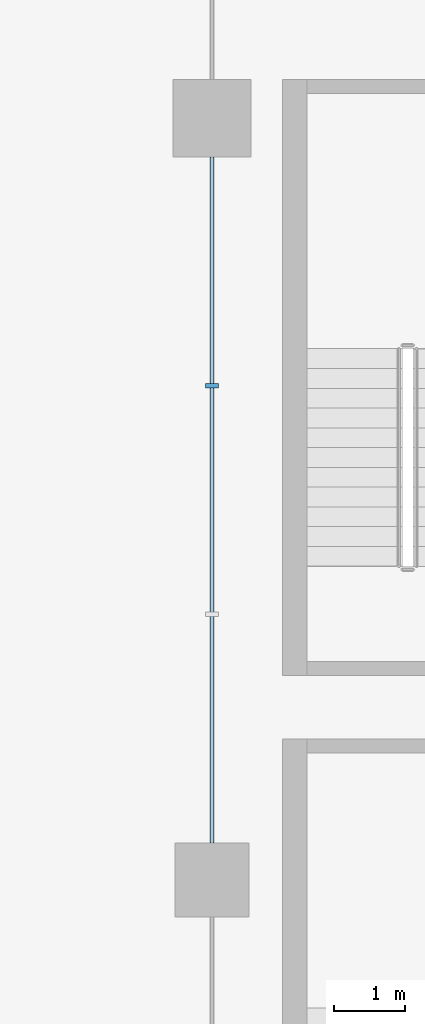
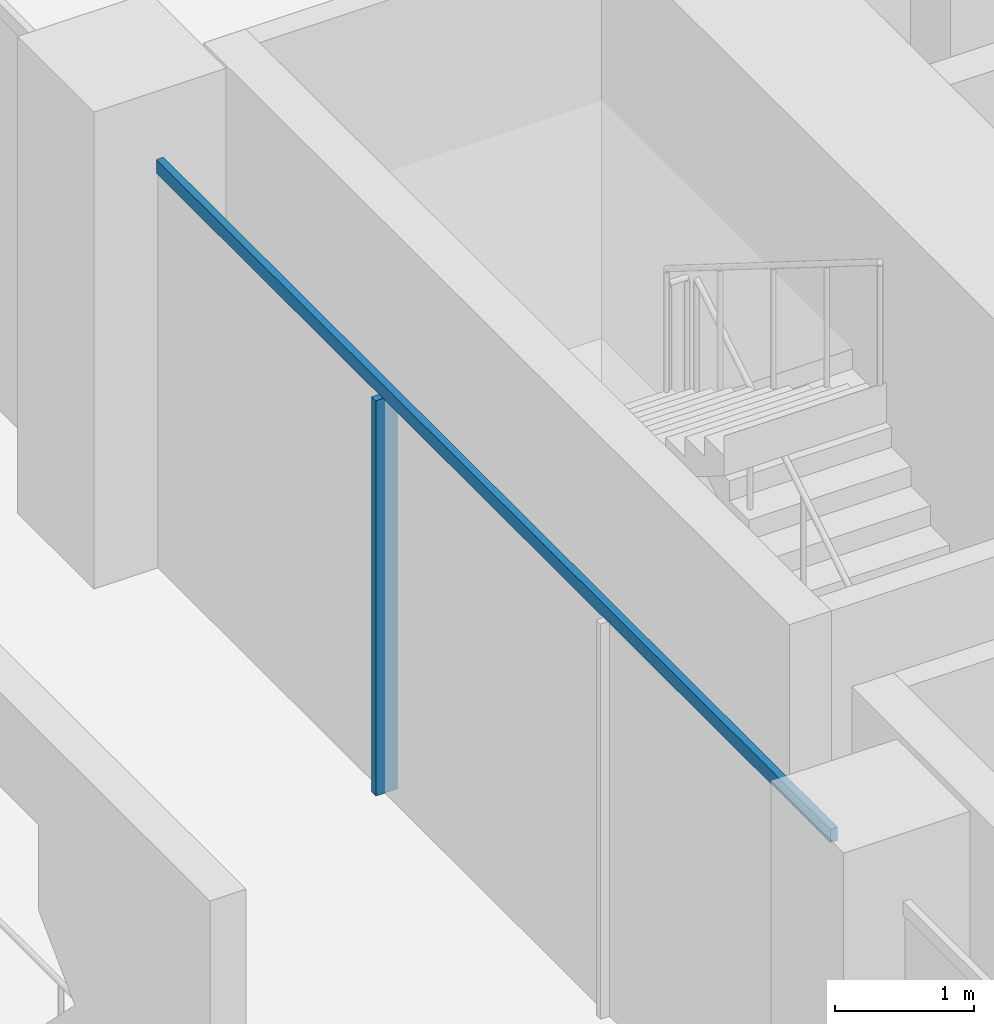
# One storey, part 5 of 25: 2 members, 1 element without a shape of its own.
"""IFC4 building model written with IfcOpenShell, lengths in metres."""

from ifc_helpers import new_model, si_unit, direction, frame, origin, origin_2d, place, context, subcontext, project, spatial, rectangle, extrude, material, layer, layer_set, material_profile, profile_set, type_object, element, aggregate, save


model = new_model("IFC4")

# Units and contexts
model_context = context("Model", 3, precision=1e-05, world=origin(), true_north=direction((0.0, 1.0)))
body_context = subcontext(model_context, "Body", "Model", "MODEL_VIEW")
ifc_project = project(units=[si_unit("LENGTHUNIT", "METRE"), si_unit("AREAUNIT", "SQUARE_METRE"), si_unit("VOLUMEUNIT", "CUBIC_METRE"), si_unit("PLANEANGLEUNIT", "RADIAN"), si_unit("MASSUNIT", "GRAM", prefix="KILO")], contexts=[model_context])

# Site, building, storey
site_placement = place(None, origin())
site = spatial("IfcSite", under=ifc_project, at=site_placement, CompositionType="ELEMENT")
building_placement = place(site_placement, origin())
building = spatial("IfcBuilding", under=site, at=building_placement, Name="Kawkab Arch Medical Tower", CompositionType="ELEMENT")
storey_placement = place(building_placement, frame((0.0, 0.0, 98.800048828125)))
storey = spatial("IfcBuildingStorey", under=building, at=storey_placement, Name="L22", CompositionType="ELEMENT", Elevation=98.800048828125)

# Curtain wall, members
ifc_material_1 = material(Name="Bronze anodised aluminium curtain wall frame", Category="aluminium")
ifc_layer = layer(ifc_material_1, 0.159912109375)
ifc_layer_set = layer_set([ifc_layer], Name="Bronze anodised aluminium curtain wall frame")
curtain_wall_type = type_object("IfcCurtainWallType", Name="CW1 ward curtain wall", PredefinedType="NOTDEFINED", material=ifc_layer_set)
curtain_wall_placement = place(storey_placement, origin())
curtain_wall = element("IfcCurtainWall", 1, at=curtain_wall_placement, inside=storey, type_object=curtain_wall_type, Name="CW1 Ward curtain wall R13", PredefinedType="NOTDEFINED")
ifc_material_2 = material(Name="Bronze anodised aluminium curtain wall frame", Category="aluminium")
ifc_material_profile_1 = material_profile(ifc_material_2, rectangle(XDim=0.179931640625, YDim=0.06005859375, at=origin_2d()), Name="AL 60x180")
ifc_profile_set_1 = profile_set([ifc_material_profile_1], Name="Bronze anodised aluminium curtain wall frame")
member_type_1 = type_object("IfcMemberType", Name="CW1 mullion 60 x 180", PredefinedType="MULLION", material=ifc_profile_set_1)
member_1_placement = place(storey_placement, frame((0.0, -9.791748046875, 0.0), z_axis=(0.0, 0.0, 1.0), x_axis=(1.0, 0.0, 0.0)))
member_1 = element("IfcMember", 2, at=member_1_placement, type_object=member_type_1, Name="CW1 mullion 2.1", PredefinedType="MULLION", context=body_context, shape_type="SweptSolid", body=[
    extrude(rectangle(XDim=0.179931640625, YDim=0.06005859375, at=origin_2d()), origin(), (0.0, 0.0, 1.0), 3.47998046875),
])
ifc_material_3 = material(Name="Bronze anodised aluminium curtain wall frame", Category="aluminium")
ifc_material_profile_2 = material_profile(ifc_material_3, rectangle(XDim=0.06005859375, YDim=0.1201171875, at=origin_2d()), Name="AL 60x120")
ifc_profile_set_2 = profile_set([ifc_material_profile_2], Name="Bronze anodised aluminium curtain wall frame")
member_type_2 = type_object("IfcMemberType", Name="CW1 transom 120 x 60", PredefinedType="USERDEFINED", material=ifc_profile_set_2)
member_2_placement = place(storey_placement, frame((0.0, -6.550048828125, 3.5400390625), z_axis=(0.0, -1.0, 0.0), x_axis=(1.0, 0.0, 0.0)))
member_2 = element("IfcMember", 3, at=member_2_placement, type_object=member_type_2, Name="CW1 transom 2", ObjectType="TRANSOM", PredefinedType="USERDEFINED", context=body_context, shape_type="SweptSolid", body=[
    extrude(rectangle(XDim=0.06005859375, YDim=0.1201171875, at=origin_2d()), origin(), (0.0, 0.0, 1.0), 9.724853515625),
])
aggregate(curtain_wall, [member_2, member_1])

save(model, "model.ifc")
